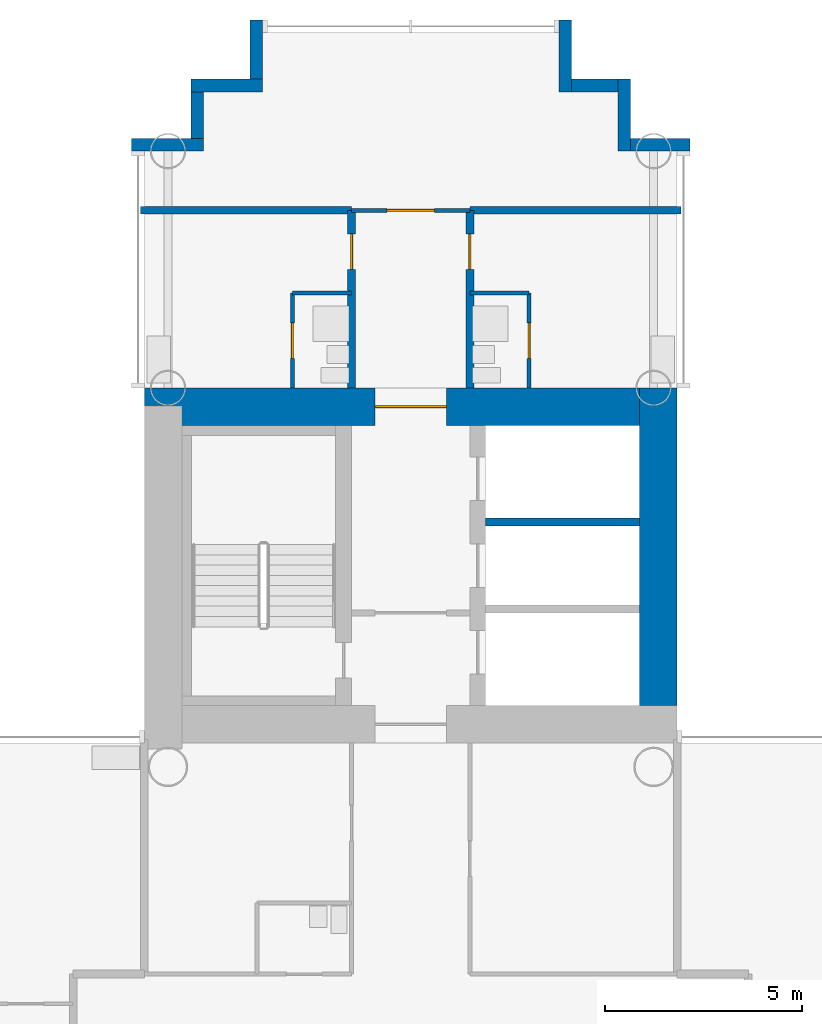
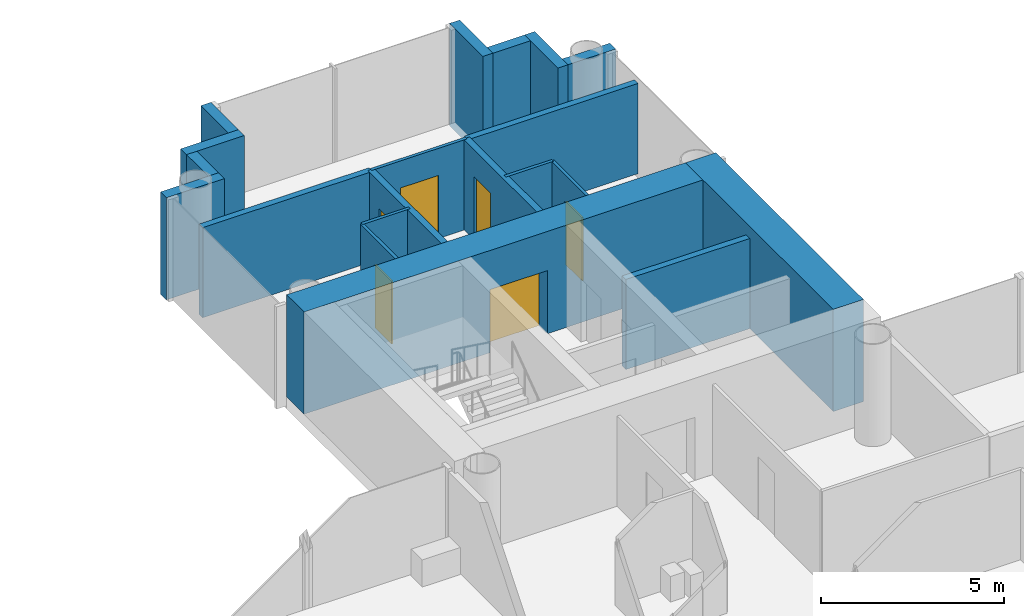
# One storey, part 14 of 21: 20 walls, 6 doors, 6 openings.
"""IFC4 building model written with IfcOpenShell, lengths in metres."""

from ifc_helpers import new_model, si_unit, direction, frame, frame_2d, origin, place, context, subcontext, project, spatial, rectangle, extrude, material, layer, layer_set, type_object, element, fill, save


model = new_model("IFC4")

# Units and contexts
model_context = context("Model", 3, precision=1e-05, world=origin(), true_north=direction((0.0, 1.0)))
body_context = subcontext(model_context, "Body", "Model", "MODEL_VIEW")
ifc_project = project(units=[si_unit("LENGTHUNIT", "METRE"), si_unit("AREAUNIT", "SQUARE_METRE"), si_unit("VOLUMEUNIT", "CUBIC_METRE"), si_unit("PLANEANGLEUNIT", "RADIAN"), si_unit("MASSUNIT", "GRAM", prefix="KILO")], contexts=[model_context])

# Site, building, storey
site_placement = place(None, origin())
site = spatial("IfcSite", under=ifc_project, at=site_placement, CompositionType="ELEMENT")
building_placement = place(site_placement, origin())
building = spatial("IfcBuilding", under=site, at=building_placement, Name="Ipe Terrace Towers", CompositionType="ELEMENT")
storey_placement = place(building_placement, frame((0.0, 0.0, 117.39990234375)))
storey = spatial("IfcBuildingStorey", under=building, at=storey_placement, Name="L32", CompositionType="ELEMENT", Elevation=117.39990234375)

# Walls
ifc_material_1 = material(Name="Concrete C40/50 with buff precast cladding", Category="concrete")
ifc_layer_1 = layer(ifc_material_1, 0.320068359375)
ifc_layer_set_1 = layer_set([ifc_layer_1], Name="BUFF CLADDING WALL 320")
wall_type_1 = type_object("IfcWallType", Name="BUFF CLADDING WALL 320", PredefinedType="STANDARD", material=ifc_layer_set_1)
wall_1_placement = place(storey_placement, frame((43.070068359375, 21.909912109375, -0.2998046875), z_axis=(0.0, 0.0, 1.0), x_axis=(-1.0, 0.0, 0.0)))
element("IfcWall", 1, at=wall_1_placement, inside=storey, type_object=wall_type_1, Name="T2-W-L32-17a wall", PredefinedType="STANDARD", context=body_context, shape_type="SweptSolid", body=[
    extrude(rectangle(XDim=1.5, YDim=0.320068359375, at=frame_2d((0.75, 0.0))), origin(), (0.0, 0.0, 1.0), 3.39990234375),
])
wall_2_placement = place(storey_placement, frame((41.409912109375, 21.75, -0.2998046875), z_axis=(0.0, 0.0, 1.0), x_axis=(0.0, 1.0, 0.0)))
element("IfcWall", 2, at=wall_2_placement, inside=storey, type_object=wall_type_1, Name="T2-W-L32-18a wall", PredefinedType="STANDARD", context=body_context, shape_type="SweptSolid", body=[
    extrude(rectangle(XDim=1.820068359375, YDim=0.320068359375, at=frame_2d((0.91015625, 0.0))), origin(), (0.0, 0.0, 1.0), 3.39990234375),
])
wall_3_placement = place(storey_placement, frame((41.25, 23.409912109375, -0.2998046875), z_axis=(0.0, 0.0, 1.0), x_axis=(-1.0, 0.0, 0.0)))
element("IfcWall", 3, at=wall_3_placement, inside=storey, type_object=wall_type_1, Name="T2-W-L32-19a wall", PredefinedType="STANDARD", context=body_context, shape_type="SweptSolid", body=[
    extrude(rectangle(XDim=1.179931640625, YDim=0.320068359375, at=frame_2d((0.58984375, 0.0))), origin(), (0.0, 0.0, 1.0), 3.39990234375),
])
wall_4_placement = place(storey_placement, frame((39.909912109375, 23.25, -0.2998046875), z_axis=(0.0, 0.0, 1.0), x_axis=(0.0, 1.0, 0.0)))
element("IfcWall", 4, at=wall_4_placement, inside=storey, type_object=wall_type_1, Name="T2-W-L32-20a wall", PredefinedType="STANDARD", context=body_context, shape_type="SweptSolid", body=[
    extrude(rectangle(XDim=1.820068359375, YDim=0.320068359375, at=frame_2d((0.91015625, 0.0))), origin(), (0.0, 0.0, 1.0), 3.39990234375),
])
wall_5_placement = place(storey_placement, frame((32.090087890625, 25.070068359375, -0.2998046875), z_axis=(0.0, 0.0, 1.0), x_axis=(0.0, -1.0, 0.0)))
element("IfcWall", 5, at=wall_5_placement, inside=storey, type_object=wall_type_1, Name="T2-W-L32-22a wall", PredefinedType="STANDARD", context=body_context, shape_type="SweptSolid", body=[
    extrude(rectangle(XDim=1.5, YDim=0.320068359375, at=frame_2d((0.75, 0.0))), origin(), (0.0, 0.0, 1.0), 3.39990234375),
])
wall_6_placement = place(storey_placement, frame((32.25, 23.409912109375, -0.2998046875), z_axis=(0.0, 0.0, 1.0), x_axis=(-1.0, 0.0, 0.0)))
element("IfcWall", 6, at=wall_6_placement, inside=storey, type_object=wall_type_1, Name="T2-W-L32-23a wall", PredefinedType="STANDARD", context=body_context, shape_type="SweptSolid", body=[
    extrude(rectangle(XDim=1.820068359375, YDim=0.320068359375, at=frame_2d((0.91015625, 0.0))), origin(), (0.0, 0.0, 1.0), 3.39990234375),
])
wall_7_placement = place(storey_placement, frame((30.590087890625, 23.25, -0.2998046875), z_axis=(0.0, 0.0, 1.0), x_axis=(0.0, -1.0, 0.0)))
element("IfcWall", 7, at=wall_7_placement, inside=storey, type_object=wall_type_1, Name="T2-W-L32-24a wall", PredefinedType="STANDARD", context=body_context, shape_type="SweptSolid", body=[
    extrude(rectangle(XDim=1.179931640625, YDim=0.320068359375, at=frame_2d((0.58984375, 0.0))), origin(), (0.0, 0.0, 1.0), 3.39990234375),
])
wall_8_placement = place(storey_placement, frame((30.75, 21.909912109375, -0.2998046875), z_axis=(0.0, 0.0, 1.0), x_axis=(-1.0, 0.0, 0.0)))
element("IfcWall", 8, at=wall_8_placement, inside=storey, type_object=wall_type_1, Name="T2-W-L32-25a wall", PredefinedType="STANDARD", context=body_context, shape_type="SweptSolid", body=[
    extrude(rectangle(XDim=1.820068359375, YDim=0.320068359375, at=frame_2d((0.91015625, 0.0))), origin(), (0.0, 0.0, 1.0), 3.39990234375),
])
ifc_material_2 = material(Name="Gypsum board partition", Category="plasterboard")
ifc_layer_2 = layer(ifc_material_2, 0.10009765625)
ifc_layer_set_2 = layer_set([ifc_layer_2], Name="Gypsum board partition 100 mm")
wall_type_2 = type_object("IfcWallType", Name="Gypsum board partition 100 mm", PredefinedType="PARTITIONING", material=ifc_layer_set_2)
for number, where, z_axis, x_axis, name in (
    (9, (39.0, 18.14990234375, 0.0), (0.0, 0.0, 1.0), (-1.0, 0.0, 0.0), "Gypsum board partition T2 L32 W14"),
    (10, (34.5, 18.14990234375, 0.0), (0.0, 0.0, 1.0), (-1.0, 0.0, 0.0), "Gypsum board partition T2 L32 W15"),
):
    element("IfcWall", number, at=place(storey_placement, frame(where, z_axis=z_axis, x_axis=x_axis)), inside=storey, type_object=wall_type_2, Name=name, PredefinedType="PARTITIONING", context=body_context, shape_type="SweptSolid", body=[
        extrude(rectangle(XDim=1.5, YDim=0.10009765625, at=frame_2d((0.75, 0.0))), origin(), (0.0, 0.0, 1.0), 3.0),
    ])

# Wall, opening, door
wall_9_placement = place(storey_placement, frame((37.5, 20.25, 0.0), z_axis=(0.0, 0.0, 1.0), x_axis=(-1.0, 0.0, 0.0)))
wall_9 = element("IfcWall", 11, at=wall_9_placement, inside=storey, type_object=wall_type_2, Name="Gypsum board partition T2 L32 W16", PredefinedType="PARTITIONING", context=body_context, shape_type="SweptSolid", body=[
    extrude(rectangle(XDim=3.0, YDim=0.10009765625, at=frame_2d((1.5, 0.0))), origin(), (0.0, 0.0, 1.0), 3.0),
])
opening_1_placement = place(wall_9_placement, frame((0.89990234375, 0.0, 0.0)))
opening_1 = element("IfcOpeningElement", 12, at=opening_1_placement, cuts=wall_9, Name="Opening T2-Z2A-18", PredefinedType="OPENING", context=body_context, shape_type="SweptSolid", body=[
    extrude(rectangle(XDim=1.199951171875, YDim=2.10009765625, at=frame_2d((0.60009765625, 1.050048828125))), frame((0.0, 0.06005859375, 0.0), z_axis=(0.0, -1.0, 0.0), x_axis=(1.0, 0.0, 0.0)), (0.0, 0.0, 1.0), 0.1201171875),
])
ifc_material_3 = material(Name="Timber door leaf", Category="wood")
door_type_1 = type_object("IfcDoorType", Name="Lounge door 1200 x 2100", OperationType="NOTDEFINED", PredefinedType="DOOR", material=ifc_material_3)
door_1_placement = place(opening_1_placement, origin())
door_1 = element("IfcDoor", 13, at=door_1_placement, inside=storey, type_object=door_type_1, Name="Lounge door T2-Z2A-18", OperationType="SINGLE_SWING_RIGHT", OverallHeight=2.10009765625, OverallWidth=1.199951171875, PredefinedType="DOOR", context=body_context, shape_type="SweptSolid", body=[
    extrude(rectangle(XDim=1.199951171875, YDim=2.10009765625, at=frame_2d((0.60009765625, 1.050048828125))), frame((0.0, 0.02490234375, 0.0), z_axis=(0.0, -1.0, 0.0), x_axis=(1.0, 0.0, 0.0)), (0.0, 0.0, 1.0), 0.050048828125),
])
fill(opening_1, door_1)

wall_10_placement = place(storey_placement, frame((39.0, 15.75, 0.0), z_axis=(0.0, 0.0, 1.0), x_axis=(0.0, 1.0, 0.0)))
wall_10 = element("IfcWall", 14, at=wall_10_placement, inside=storey, type_object=wall_type_2, Name="Gypsum board partition T2 L32 W25", PredefinedType="PARTITIONING", context=body_context, shape_type="SweptSolid", body=[
    extrude(rectangle(XDim=2.39990234375, YDim=0.10009765625, at=frame_2d((1.199951171875, 0.0))), origin(), (0.0, 0.0, 1.0), 3.0),
])
opening_2_placement = place(wall_10_placement, frame((0.75, 0.0, 0.0)))
opening_2 = element("IfcOpeningElement", 15, at=opening_2_placement, cuts=wall_10, Name="Opening T2-Z2A-17", PredefinedType="OPENING", context=body_context, shape_type="SweptSolid", body=[
    extrude(rectangle(XDim=0.89990234375, YDim=2.10009765625, at=frame_2d((0.449951171875, 1.050048828125))), frame((0.0, 0.06005859375, 0.0), z_axis=(0.0, -1.0, 0.0), x_axis=(1.0, 0.0, 0.0)), (0.0, 0.0, 1.0), 0.1201171875),
])
ifc_material_4 = material(Name="Timber door leaf", Category="wood")
door_type_2 = type_object("IfcDoorType", Name="Bathroom door 900 x 2100", OperationType="NOTDEFINED", PredefinedType="DOOR", material=ifc_material_4)
door_2_placement = place(opening_2_placement, origin())
door_2 = element("IfcDoor", 16, at=door_2_placement, inside=storey, type_object=door_type_2, Name="Bathroom door T2-Z2A-17", OperationType="SINGLE_SWING_LEFT", OverallHeight=2.10009765625, OverallWidth=0.89990234375, PredefinedType="DOOR", context=body_context, shape_type="SweptSolid", body=[
    extrude(rectangle(XDim=0.89990234375, YDim=2.10009765625, at=frame_2d((0.449951171875, 1.050048828125))), frame((0.0, 0.02490234375, 0.0), z_axis=(0.0, -1.0, 0.0), x_axis=(1.0, 0.0, 0.0)), (0.0, 0.0, 1.0), 0.050048828125),
])
fill(opening_2, door_2)

wall_11_placement = place(storey_placement, frame((33.0, 15.75, 0.0), z_axis=(0.0, 0.0, 1.0), x_axis=(0.0, 1.0, 0.0)))
wall_11 = element("IfcWall", 17, at=wall_11_placement, inside=storey, type_object=wall_type_2, Name="Gypsum board partition T2 L32 W32", PredefinedType="PARTITIONING", context=body_context, shape_type="SweptSolid", body=[
    extrude(rectangle(XDim=2.39990234375, YDim=0.10009765625, at=frame_2d((1.199951171875, 0.0))), origin(), (0.0, 0.0, 1.0), 3.0),
])
opening_3_placement = place(wall_11_placement, frame((0.75, 0.0, 0.0)))
opening_3 = element("IfcOpeningElement", 18, at=opening_3_placement, cuts=wall_11, Name="Opening T2-Z2A-15", PredefinedType="OPENING", context=body_context, shape_type="SweptSolid", body=[
    extrude(rectangle(XDim=0.89990234375, YDim=2.10009765625, at=frame_2d((0.449951171875, 1.050048828125))), frame((0.0, 0.06005859375, 0.0), z_axis=(0.0, -1.0, 0.0), x_axis=(1.0, 0.0, 0.0)), (0.0, 0.0, 1.0), 0.1201171875),
])
door_3_placement = place(opening_3_placement, origin())
door_3 = element("IfcDoor", 19, at=door_3_placement, inside=storey, type_object=door_type_2, Name="Bathroom door T2-Z2A-15", OperationType="SINGLE_SWING_RIGHT", OverallHeight=2.10009765625, OverallWidth=0.89990234375, PredefinedType="DOOR", context=body_context, shape_type="SweptSolid", body=[
    extrude(rectangle(XDim=0.89990234375, YDim=2.10009765625, at=frame_2d((0.449951171875, 1.050048828125))), frame((0.0, 0.02490234375, 0.0), z_axis=(0.0, -1.0, 0.0), x_axis=(1.0, 0.0, 0.0)), (0.0, 0.0, 1.0), 0.050048828125),
])
fill(opening_3, door_3)

# Walls
ifc_material_5 = material(Name="Gypsum board party wall", Category="plasterboard")
ifc_layer_3 = layer(ifc_material_5, 0.199951171875)
ifc_layer_set_3 = layer_set([ifc_layer_3], Name="Gypsum board party wall 200 mm")
wall_type_3 = type_object("IfcWallType", Name="Gypsum board party wall 200 mm", PredefinedType="SOLIDWALL", material=ifc_layer_set_3)
wall_12_placement = place(storey_placement, frame((41.800048828125, 12.35009765625, 0.0), z_axis=(0.0, 0.0, 1.0), x_axis=(-1.0, 0.0, 0.0)))
element("IfcWall", 20, at=wall_12_placement, inside=storey, type_object=wall_type_3, Name="Gypsum board party wall T2 L32 t2c1-shaft-div2", PredefinedType="SOLIDWALL", context=body_context, shape_type="SweptSolid", body=[
    extrude(rectangle(XDim=3.900146484375, YDim=0.199951171875, at=frame_2d((1.9501953125, 0.0))), origin(), (0.0, 0.0, 1.0), 3.0),
])
for number, where, z_axis, x_axis, name in (
    (21, (42.85009765625, 20.25, 0.0), (0.0, 0.0, 1.0), (-1.0, 0.0, 0.0), "Gypsum board party wall T2 L32 W17"),
    (22, (34.5, 20.25, 0.0), (0.0, 0.0, 1.0), (-1.0, 0.0, 0.0), "Gypsum board party wall T2 L32 W18"),
):
    element("IfcWall", number, at=place(storey_placement, frame(where, z_axis=z_axis, x_axis=x_axis)), inside=storey, type_object=wall_type_3, Name=name, PredefinedType="SOLIDWALL", context=body_context, shape_type="SweptSolid", body=[
        extrude(rectangle(XDim=5.35009765625, YDim=0.199951171875, at=frame_2d((2.675048828125, 0.0))), origin(), (0.0, 0.0, 1.0), 3.0),
    ])

# Wall, opening, door
wall_13_placement = place(storey_placement, frame((37.5, 15.75, 0.0), z_axis=(0.0, 0.0, 1.0), x_axis=(0.0, 1.0, 0.0)))
wall_13 = element("IfcWall", 23, at=wall_13_placement, inside=storey, type_object=wall_type_3, Name="Gypsum board party wall T2 L32 W28", PredefinedType="SOLIDWALL", context=body_context, shape_type="SweptSolid", body=[
    extrude(rectangle(XDim=4.5, YDim=0.199951171875, at=frame_2d((2.25, 0.0))), origin(), (0.0, 0.0, 1.0), 3.0),
])
opening_4_placement = place(wall_13_placement, frame((3.0, 0.0, 0.0)))
opening_4 = element("IfcOpeningElement", 24, at=opening_4_placement, cuts=wall_13, Name="Opening T2-Z2A-16", PredefinedType="OPENING", context=body_context, shape_type="SweptSolid", body=[
    extrude(rectangle(XDim=0.89990234375, YDim=2.10009765625, at=frame_2d((0.449951171875, 1.050048828125))), frame((0.0, 0.10986328125, 0.0), z_axis=(0.0, -1.0, 0.0), x_axis=(1.0, 0.0, 0.0)), (0.0, 0.0, 1.0), 0.219970703125),
])
ifc_material_6 = material(Name="Fire-rated timber door leaf", Category="wood")
door_type_3 = type_object("IfcDoorType", Name="Flat entrance door 900 x 2100 FD30S", OperationType="NOTDEFINED", PredefinedType="DOOR", material=ifc_material_6)
door_4_placement = place(opening_4_placement, origin())
door_4 = element("IfcDoor", 25, at=door_4_placement, inside=storey, type_object=door_type_3, Name="Flat entrance door T2-Z2A-16", OperationType="SINGLE_SWING_RIGHT", OverallHeight=2.10009765625, OverallWidth=0.89990234375, PredefinedType="DOOR", context=body_context, shape_type="SweptSolid", body=[
    extrude(rectangle(XDim=0.89990234375, YDim=2.10009765625, at=frame_2d((0.449951171875, 1.050048828125))), frame((0.0, 0.02490234375, 0.0), z_axis=(0.0, -1.0, 0.0), x_axis=(1.0, 0.0, 0.0)), (0.0, 0.0, 1.0), 0.050048828125),
])
fill(opening_4, door_4)

wall_14_placement = place(storey_placement, frame((34.5, 15.75, 0.0), z_axis=(0.0, 0.0, 1.0), x_axis=(0.0, 1.0, 0.0)))
wall_14 = element("IfcWall", 26, at=wall_14_placement, inside=storey, type_object=wall_type_3, Name="Gypsum board party wall T2 L32 W31", PredefinedType="SOLIDWALL", context=body_context, shape_type="SweptSolid", body=[
    extrude(rectangle(XDim=4.5, YDim=0.199951171875, at=frame_2d((2.25, 0.0))), origin(), (0.0, 0.0, 1.0), 3.0),
])
opening_5_placement = place(wall_14_placement, frame((3.0, 0.0, 0.0)))
opening_5 = element("IfcOpeningElement", 27, at=opening_5_placement, cuts=wall_14, Name="Opening T2-Z2A-14", PredefinedType="OPENING", context=body_context, shape_type="SweptSolid", body=[
    extrude(rectangle(XDim=0.89990234375, YDim=2.10009765625, at=frame_2d((0.449951171875, 1.050048828125))), frame((0.0, 0.10986328125, 0.0), z_axis=(0.0, -1.0, 0.0), x_axis=(1.0, 0.0, 0.0)), (0.0, 0.0, 1.0), 0.219970703125),
])
door_5_placement = place(opening_5_placement, origin())
door_5 = element("IfcDoor", 28, at=door_5_placement, inside=storey, type_object=door_type_3, Name="Flat entrance door T2-Z2A-14", OperationType="SINGLE_SWING_LEFT", OverallHeight=2.10009765625, OverallWidth=0.89990234375, PredefinedType="DOOR", context=body_context, shape_type="SweptSolid", body=[
    extrude(rectangle(XDim=0.89990234375, YDim=2.10009765625, at=frame_2d((0.449951171875, 1.050048828125))), frame((0.0, 0.02490234375, 0.0), z_axis=(0.0, -1.0, 0.0), x_axis=(1.0, 0.0, 0.0)), (0.0, 0.0, 1.0), 0.050048828125),
])
fill(opening_5, door_5)

# Wall
ifc_material_7 = material(Name="Concrete C50/60", Category="concrete")
ifc_layer_4 = layer(ifc_material_7, 0.949951171875)
ifc_layer_set_4 = layer_set([ifc_layer_4], Name="RW950 CORE WALL 950 C50-60")
wall_type_4 = type_object("IfcWallType", Name="RW950 CORE WALL 950 C50-60", PredefinedType="SHEAR", material=ifc_layer_set_4)
wall_15_placement = place(storey_placement, frame((42.27490234375, 7.699951171875, 0.0), z_axis=(0.0, 0.0, 1.0), x_axis=(0.0, 1.0, 0.0)))
element("IfcWall", 29, at=wall_15_placement, inside=storey, type_object=wall_type_4, Name="Core wall T2-C1-Z2-W02", PredefinedType="SHEAR", context=body_context, shape_type="SweptSolid", body=[
    extrude(rectangle(XDim=8.050048828125, YDim=0.949951171875, at=frame_2d((4.02490234375, 0.0))), origin(), (0.0, 0.0, 1.0), 3.400146484375),
])

# Wall, opening, door
wall_16_placement = place(storey_placement, frame((41.800048828125, 15.27490234375, 0.0), z_axis=(0.0, 0.0, 1.0), x_axis=(-1.0, 0.0, 0.0)))
wall_16 = element("IfcWall", 30, at=wall_16_placement, inside=storey, type_object=wall_type_4, Name="Core wall T2-C1-Z2-W03", PredefinedType="SHEAR", context=body_context, shape_type="SweptSolid", body=[
    extrude(rectangle(XDim=12.550048828125, YDim=0.949951171875, at=frame_2d((6.27490234375, 0.0))), origin(), (0.0, 0.0, 1.0), 3.400146484375),
])
opening_6_placement = place(wall_16_placement, frame((4.89990234375, 0.0, 0.0)))
opening_6 = element("IfcOpeningElement", 31, at=opening_6_placement, cuts=wall_16, Name="Opening T2C1-FD", PredefinedType="OPENING", context=body_context, shape_type="SweptSolid", body=[
    extrude(rectangle(XDim=1.800048828125, YDim=2.10009765625, at=frame_2d((0.89990234375, 1.050048828125))), frame((0.0, 0.48486328125, 0.0), z_axis=(0.0, -1.0, 0.0), x_axis=(1.0, 0.0, 0.0)), (0.0, 0.0, 1.0), 0.969970703125),
])
ifc_material_8 = material(Name="Fire-rated timber door leaf", Category="wood")
door_type_4 = type_object("IfcDoorType", Name="Fire door 1800 x 2100 FD30S", OperationType="NOTDEFINED", PredefinedType="DOOR", material=ifc_material_8)
door_6_placement = place(opening_6_placement, origin())
door_6 = element("IfcDoor", 32, at=door_6_placement, inside=storey, type_object=door_type_4, Name="Fire door T2C1-FD", OperationType="SINGLE_SWING_LEFT", OverallHeight=2.10009765625, OverallWidth=1.800048828125, PredefinedType="DOOR", context=body_context, shape_type="SweptSolid", body=[
    extrude(rectangle(XDim=1.800048828125, YDim=2.10009765625, at=frame_2d((0.89990234375, 1.050048828125))), frame((0.0, 0.02490234375, 0.0), z_axis=(0.0, -1.0, 0.0), x_axis=(1.0, 0.0, 0.0)), (0.0, 0.0, 1.0), 0.050048828125),
])
fill(opening_6, door_6)

save(model, "model.ifc")
